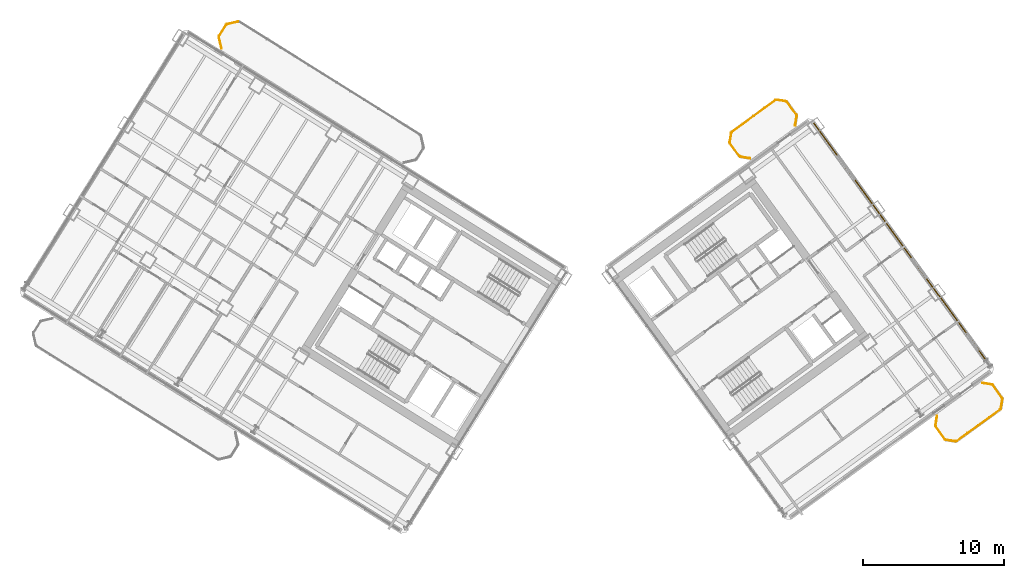
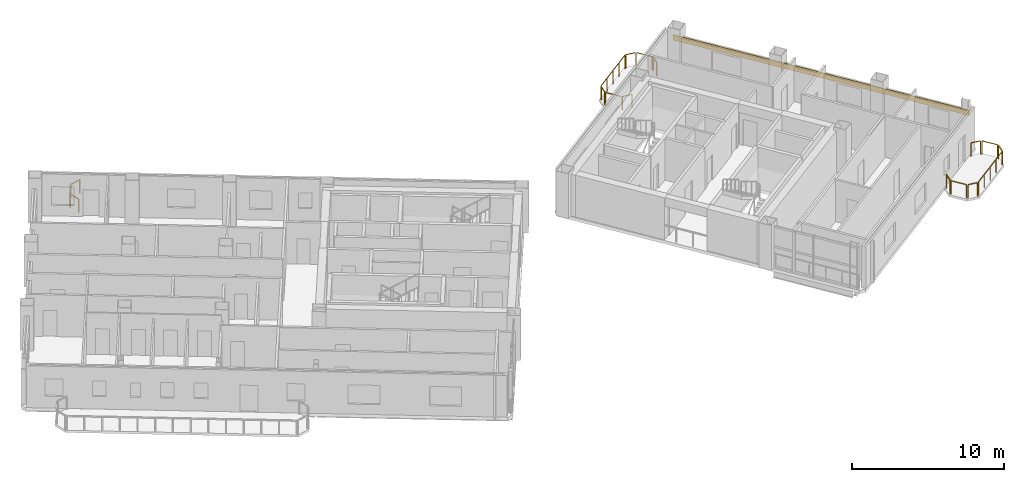
# One storey, part 19 of 19: 17 railings, 1 covering.
"""IFC4 building model written with IfcOpenShell, lengths in metres."""

import ifcopenshell
import ifcopenshell.guid

model = None  # the IFC model being written
_history = None  # IfcOwnerHistory: only IFC2X3 demands one
_inside = {}  # id of a spatial element -> (the spatial element, [elements in it])
_under = {}  # id of a project, library or spatial element -> (it, [spatial elements below it])
_declared = {}  # id of a project -> (the project, [libraries it declares])
_typed = {}  # id of a type object -> (the type object, [elements of that type])
_made_of = {}  # id of a material, layer set ... -> (it, [elements and type objects made of it])


def new_model(schema):
    """Start an empty IFC model of exactly this schema.

    Asked for "IFC4X3", IfcOpenShell would pick the latest addendum, in which some entities
    have other attributes; the version numbers below select the first issue.
    IFC2X3 requires an IfcOwnerHistory on every rooted entity: one is made here for all.
    """
    global model, _history
    if schema == "IFC4X3":
        model = ifcopenshell.file(schema_version=(4, 3, 0, 0))
    else:
        model = ifcopenshell.file(schema=schema)
    _inside.clear()
    _under.clear()
    _declared.clear()
    _typed.clear()
    _made_of.clear()
    _history = None
    if model.schema == "IFC2X3":
        org = make("IfcOrganization", Name="unknown")
        user = make(
            "IfcPersonAndOrganization",
            ThePerson=make("IfcPerson", FamilyName="unknown"),
            TheOrganization=org,
        )
        app = make(
            "IfcApplication",
            ApplicationDeveloper=org,
            Version="unknown",
            ApplicationFullName="unknown",
            ApplicationIdentifier="unknown",
        )
        _history = make(
            "IfcOwnerHistory",
            OwningUser=user,
            OwningApplication=app,
            ChangeAction="ADDED",
            CreationDate=0,
        )
    return model


def make(cls, **values):
    """One entity of the class cls with the attributes given. An attribute that is None is left unset."""
    return model.create_entity(
        cls, **{name: value for name, value in values.items() if value is not None}
    )


def rooted(cls, **values):
    """An entity with a GlobalId (a new one), such as an element, a storey or a relation."""
    return make(cls, GlobalId=ifcopenshell.guid.new(), OwnerHistory=_history, **values)


def si_unit(unit_type, name, prefix=None):
    """IfcSIUnit, for example si_unit("LENGTHUNIT", "METRE", prefix="MILLI")."""
    return make("IfcSIUnit", UnitType=unit_type, Prefix=prefix, Name=name)


def assignment(units):
    """IfcUnitAssignment: the units of a project."""
    return None if units is None else make("IfcUnitAssignment", Units=units)


def point(xyz):
    """IfcCartesianPoint."""
    return None if xyz is None else make("IfcCartesianPoint", Coordinates=xyz)


def direction(xyz):
    """IfcDirection."""
    return None if xyz is None else make("IfcDirection", DirectionRatios=xyz)


def frame(location, z_axis=None, x_axis=None):
    """IfcAxis2Placement3D, a coordinate frame: its origin and axes. An axis left out is left unset."""
    return make(
        "IfcAxis2Placement3D",
        Location=point(location),
        Axis=direction(z_axis),
        RefDirection=direction(x_axis),
    )


def frame_2d(location, x_axis=None):
    """IfcAxis2Placement2D, a coordinate frame in the plane: its origin and x axis."""
    return make(
        "IfcAxis2Placement2D", Location=point(location), RefDirection=direction(x_axis)
    )


def origin():
    """The frame at (0, 0, 0) with its axes left unset."""
    return frame((0.0, 0.0, 0.0))


def origin_2d():
    """The frame at (0, 0) in the plane with its x axis left unset."""
    return frame_2d((0.0, 0.0))


def place(relative_to, where):
    """IfcLocalPlacement: puts the frame where relative to a parent placement (None: the world)."""
    return make(
        "IfcLocalPlacement", PlacementRelTo=relative_to, RelativePlacement=where
    )


def context(
    kind, dimensions, precision=None, world=None, true_north=None, identifier=None
):
    """IfcGeometricRepresentationContext, for example the 3D "Model" context."""
    return make(
        "IfcGeometricRepresentationContext",
        ContextIdentifier=identifier,
        ContextType=kind,
        CoordinateSpaceDimension=dimensions,
        Precision=precision,
        WorldCoordinateSystem=world,
        TrueNorth=true_north,
    )


def subcontext(parent, identifier, kind, view, scale=None):
    """IfcGeometricRepresentationSubContext, for example "Body" below "Model"."""
    return make(
        "IfcGeometricRepresentationSubContext",
        ContextIdentifier=identifier,
        ContextType=kind,
        ParentContext=parent,
        TargetScale=scale,
        TargetView=view,
    )


def project(units=None, contexts=None):
    """IfcProject with its units and contexts."""
    return rooted(
        "IfcProject",
        Name="project",
        RepresentationContexts=contexts,
        UnitsInContext=assignment(units),
    )


def spatial(cls, under=None, at=None, **own):
    """A site, building, storey or space (cls), placed at a placement, below another one or the project."""
    s = rooted(cls, ObjectPlacement=at, **own)
    if under is not None:
        _under.setdefault(under.id(), (under, []))[1].append(s)
    return s


def profile(cls, at=None, kind="AREA", **sizes):
    """A parametric profile (cls). Its sizes go by their IFC names, for example OverallWidth=200.0."""
    return make(cls, ProfileType=kind, Position=at, **sizes)


def rectangle(**sizes):
    """IfcRectangleProfileDef."""
    return profile("IfcRectangleProfileDef", **sizes)


def extrude(swept, where, along, depth):
    """IfcExtrudedAreaSolid: the profile swept, set in the frame where, extruded along a direction by depth."""
    return make(
        "IfcExtrudedAreaSolid",
        SweptArea=swept,
        Position=where,
        ExtrudedDirection=direction(along),
        Depth=depth,
    )


def shape(context_of_items, identifier, shape_type, items):
    """IfcShapeRepresentation: the items that make up one representation, for example the "Body"."""
    return make(
        "IfcShapeRepresentation",
        ContextOfItems=context_of_items,
        RepresentationIdentifier=identifier,
        RepresentationType=shape_type,
        Items=items,
    )


def source(mapping_origin, context_of_items, identifier, shape_type, items):
    """IfcRepresentationMap: a shape defined once, which mapped items show again and again."""
    return make(
        "IfcRepresentationMap",
        MappingOrigin=mapping_origin,
        MappedRepresentation=shape(context_of_items, identifier, shape_type, items),
    )


def transform(
    local_origin,
    x_axis=None,
    y_axis=None,
    z_axis=None,
    scale=None,
    scale2=None,
    scale3=None,
    uniform=True,
):
    """IfcCartesianTransformationOperator3D, or its non-uniform kind. x_axis, y_axis, z_axis: its Axis1, 2, 3."""
    if uniform:
        return make(
            "IfcCartesianTransformationOperator3D",
            Axis1=direction(x_axis),
            Axis2=direction(y_axis),
            LocalOrigin=point(local_origin),
            Scale=scale,
            Axis3=direction(z_axis),
        )
    return make(
        "IfcCartesianTransformationOperator3DnonUniform",
        Axis1=direction(x_axis),
        Axis2=direction(y_axis),
        LocalOrigin=point(local_origin),
        Scale=scale,
        Axis3=direction(z_axis),
        Scale2=scale2,
        Scale3=scale3,
    )


def mapped(mapping_source, mapping_target):
    """IfcMappedItem: shows the shape of a source again, moved by a transform."""
    return make(
        "IfcMappedItem", MappingSource=mapping_source, MappingTarget=mapping_target
    )


def material(Name=None, Category=None):
    """IfcMaterial."""
    return make("IfcMaterial", Name=Name, Category=Category)


def layer(
    of_material, thickness, ventilated=None, Name=None, Category=None, Priority=None
):
    """IfcMaterialLayer: one layer of a wall or slab, of a material (None: an air gap)."""
    return make(
        "IfcMaterialLayer",
        Material=of_material,
        LayerThickness=thickness,
        IsVentilated=ventilated,
        Name=Name,
        Category=Category,
        Priority=Priority,
    )


def layer_set(layers, Name=None):
    """IfcMaterialLayerSet."""
    return make("IfcMaterialLayerSet", MaterialLayers=layers, LayerSetName=Name)


def made_of(thing, what):
    """Note that an element or type object is made of a material, layer set ...; save() writes the relation."""
    if what is not None:
        _made_of.setdefault(what.id(), (what, []))[1].append(thing)
    return thing


def type_object(cls, material=None, **own):
    """A type object (cls), such as IfcWallType, which elements share."""
    return made_of(rooted(cls, **own), material)


def element(
    cls,
    number,
    at=None,
    inside=None,
    cuts=None,
    type_object=None,
    material=None,
    context=None,
    identifier="Body",
    shape_type=None,
    held_by="IfcProductDefinitionShape",
    body=None,
    shapes=None,
    **own,
):
    """One element of the class cls, such as IfcWall. Its Tag is "e" and its number.

    at: its placement. inside: the storey or other place that contains it. cuts: it is an
    opening in that element (IfcRelVoidsElement). A single representation is given by context,
    identifier, shape_type and body (its items); several are given by shapes. held_by: the class
    of the entity that holds the representations. save() writes the other relations.
    """
    e = rooted(cls, Tag="e%d" % number, ObjectPlacement=at, **own)
    if body is not None:
        shapes = [shape(context, identifier, shape_type, body)]
    if shapes is not None:
        e.Representation = make(held_by, Representations=shapes)
    if inside is not None:
        _inside.setdefault(inside.id(), (inside, []))[1].append(e)
    if cuts is not None:
        rooted(
            "IfcRelVoidsElement", RelatingBuildingElement=cuts, RelatedOpeningElement=e
        )
    if type_object is not None:
        _typed.setdefault(type_object.id(), (type_object, []))[1].append(e)
    return made_of(e, material)


def aggregate(whole, parts):
    """IfcRelAggregates: a whole, such as a stair, and the parts it consists of."""
    return rooted("IfcRelAggregates", RelatingObject=whole, RelatedObjects=parts)


def save(model, path):
    """Write the relations noted so far, then the file.

    IfcRelAggregates (storeys below a building ...), IfcRelContainedInSpatialStructure (elements
    in a storey), IfcRelDefinesByType, IfcRelAssociatesMaterial and IfcRelDeclares: one each for
    every whole, place, type object, material and project.
    """
    for whole, parts in _under.values():
        aggregate(whole, parts)
    for where, things in _inside.values():
        rooted(
            "IfcRelContainedInSpatialStructure",
            RelatedElements=things,
            RelatingStructure=where,
        )
    for kind, things in _typed.values():
        rooted("IfcRelDefinesByType", RelatedObjects=things, RelatingType=kind)
    for what, things in _made_of.values():
        rooted("IfcRelAssociatesMaterial", RelatedObjects=things, RelatingMaterial=what)
    for by, libraries in _declared.values():
        rooted("IfcRelDeclares", RelatingContext=by, RelatedDefinitions=libraries)
    model.write(path)


model = new_model("IFC4")

# Units and contexts
model_context = context("Model", 3, precision=1e-05, world=origin(), true_north=direction((0.0, 1.0)))
body_context = subcontext(model_context, "Body", "Model", "MODEL_VIEW")
ifc_project = project(units=[si_unit("LENGTHUNIT", "METRE"), si_unit("AREAUNIT", "SQUARE_METRE"), si_unit("VOLUMEUNIT", "CUBIC_METRE"), si_unit("PLANEANGLEUNIT", "RADIAN"), si_unit("MASSUNIT", "GRAM", prefix="KILO")], contexts=[model_context])

# Site, building, storey
site_placement = place(None, origin())
site = spatial("IfcSite", under=ifc_project, at=site_placement, CompositionType="ELEMENT")
building_placement = place(site_placement, origin())
building = spatial("IfcBuilding", under=site, at=building_placement, Name="Tlacorven Tower", CompositionType="ELEMENT")
storey_placement = place(building_placement, frame((0.0, 0.0, 144.300048828125)))
storey = spatial("IfcBuildingStorey", under=building, at=storey_placement, Name="L36", CompositionType="ELEMENT", Elevation=144.300048828125)

# Railings
ifc_material_1 = material(Name="Aluminium and painted steel balustrade", Category="steel")
railing_type = type_object("IfcRailingType", Name="RL-BAL-1100", PredefinedType="BALUSTRADE", material=ifc_material_1)
shared_shape_1 = source(origin(), body_context, "Body", "SweptSolid", [
    extrude(rectangle(XDim=0.048095703125, YDim=0.048095703125, at=origin_2d()), frame((0.0, 0.0, 1.076171875), z_axis=(-0.225058334816, 0.974345290916, 0.0), x_axis=(-0.974345290916, -0.225058334816, 0.0)), (0.0, 0.0, 1.0), 0.80712890625),
    extrude(rectangle(XDim=0.0419921875, YDim=0.0419921875, at=origin_2d()), origin(), (0.0, 0.0, 1.0), 1.052001953125),
    extrude(rectangle(XDim=0.0419921875, YDim=0.0419921875, at=origin_2d()), frame((-0.181640625, 0.786376953125, 0.0)), (0.0, 0.0, 1.0), 1.052001953125),
])
railing_1_placement = place(storey_placement, frame((16.5361328125, 40.68115234375, 0.0)))
element("IfcRailing", 1, at=railing_1_placement, inside=storey, type_object=railing_type, Name="BAL-L36-W-IN Guard Railing 4", PredefinedType="BALUSTRADE", context=body_context, shape_type="MappedRepresentation", body=[
    mapped(shared_shape_1, transform((0.0, 0.0, 0.0), scale=1.0)),
])
shared_shape_2 = source(origin(), body_context, "Body", "SweptSolid", [
    extrude(rectangle(XDim=0.048095703125, YDim=0.048095703125, at=origin_2d()), frame((0.0, 0.0, 1.076171875), z_axis=(0.52987865805, 0.848073468364, 0.0), x_axis=(-0.848073468364, 0.52987865805, 0.0)), (0.0, 0.0, 1.0), 0.912353515625),
    extrude(rectangle(XDim=0.0419921875, YDim=0.0419921875, at=origin_2d()), origin(), (0.0, 0.0, 1.0), 1.052001953125),
    extrude(rectangle(XDim=0.0419921875, YDim=0.0419921875, at=origin_2d()), frame((0.4833984375, 0.773681640625, 0.0)), (0.0, 0.0, 1.0), 1.052001953125),
])
railing_2_placement = place(storey_placement, frame((16.369873046875, 41.55859375, 0.0)))
element("IfcRailing", 2, at=railing_2_placement, inside=storey, type_object=railing_type, Name="BAL-L36-W-IN Guard Railing 5", PredefinedType="BALUSTRADE", context=body_context, shape_type="MappedRepresentation", body=[
    mapped(shared_shape_2, transform((0.0, 0.0, 0.0), scale=1.0)),
])
shared_shape_3 = source(origin(), body_context, "Body", "SweptSolid", [
    extrude(rectangle(XDim=0.048095703125, YDim=0.048095703125, at=origin_2d()), frame((0.0, 0.0, 1.076171875), z_axis=(0.974411586182, 0.224771129628, 0.0), x_axis=(-0.224771129628, 0.974411586182, 0.0)), (0.0, 0.0, 1.0), 0.80712890625),
    extrude(rectangle(XDim=0.0419921875, YDim=0.0419921875, at=origin_2d()), origin(), (0.0, 0.0, 1.0), 1.052001953125),
    extrude(rectangle(XDim=0.0419921875, YDim=0.0419921875, at=origin_2d()), frame((0.786376953125, 0.181396484375, 0.0)), (0.0, 0.0, 1.0), 1.052001953125),
])
railing_3_placement = place(storey_placement, frame((16.928466796875, 42.385986328125, 0.0)))
element("IfcRailing", 3, at=railing_3_placement, inside=storey, type_object=railing_type, Name="BAL-L36-W-IN Guard Railing 6", PredefinedType="BALUSTRADE", context=body_context, shape_type="MappedRepresentation", body=[
    mapped(shared_shape_3, transform((0.0, 0.0, 0.0), scale=1.0)),
])
shared_shape_4 = source(origin(), body_context, "Body", "SweptSolid", [
    extrude(rectangle(XDim=0.048095703125, YDim=0.048095703125, at=origin_2d()), frame((0.0, 0.0, 1.076171875), z_axis=(-0.987661653326, 0.156602868908, 0.0), x_axis=(-0.156602868908, -0.987661653326, 0.0)), (0.0, 0.0, 1.0), 0.665771484375),
    extrude(rectangle(XDim=0.0419921875, YDim=0.0419921875, at=origin_2d()), origin(), (0.0, 0.0, 1.0), 1.052001953125),
    extrude(rectangle(XDim=0.0419921875, YDim=0.0419921875, at=origin_2d()), frame((-0.657470703125, 0.104248046875, 0.0)), (0.0, 0.0, 1.0), 1.052001953125),
])
railing_4_placement = place(storey_placement, frame((68.59521484375, 12.7919921875, 0.0)))
element("IfcRailing", 4, at=railing_4_placement, inside=storey, type_object=railing_type, Name="BAL-L36-E-OUT Guard Railing 1", PredefinedType="BALUSTRADE", context=body_context, shape_type="MappedRepresentation", body=[
    mapped(shared_shape_4, transform((0.0, 0.0, 0.0), scale=1.0)),
])
shared_shape_5 = source(origin(), body_context, "Body", "SweptSolid", [
    extrude(rectangle(XDim=0.048095703125, YDim=0.048095703125, at=origin_2d()), frame((0.0, 0.0, 1.076171875), z_axis=(-0.58788449985, 0.808944877501, 0.0), x_axis=(-0.808944877501, -0.58788449985, 0.0)), (0.0, 0.0, 1.0), 1.112060546875),
    extrude(rectangle(XDim=0.0419921875, YDim=0.0419921875, at=origin_2d()), origin(), (0.0, 0.0, 1.0), 1.052001953125),
    extrude(rectangle(XDim=0.0419921875, YDim=0.0419921875, at=origin_2d()), frame((-0.65380859375, 0.899658203125, 0.0)), (0.0, 0.0, 1.0), 1.052001953125),
])
railing_5_placement = place(storey_placement, frame((67.85888671875, 12.944580078125, 0.0)))
element("IfcRailing", 5, at=railing_5_placement, inside=storey, type_object=railing_type, Name="BAL-L36-E-OUT Guard Railing 2", PredefinedType="BALUSTRADE", context=body_context, shape_type="MappedRepresentation", body=[
    mapped(shared_shape_5, transform((0.0, 0.0, 0.0), scale=1.0)),
])
shared_shape_6 = source(origin(), body_context, "Body", "SweptSolid", [
    extrude(rectangle(XDim=0.048095703125, YDim=0.048095703125, at=origin_2d()), frame((0.0, 0.0, 1.076171875), z_axis=(0.156602868908, 0.987661653326, 0.0), x_axis=(-0.987661653326, 0.156602868908, 0.0)), (0.0, 0.0, 1.0), 0.665771484375),
    extrude(rectangle(XDim=0.0419921875, YDim=0.0419921875, at=origin_2d()), origin(), (0.0, 0.0, 1.0), 1.052001953125),
    extrude(rectangle(XDim=0.0419921875, YDim=0.0419921875, at=origin_2d()), frame((0.104248046875, 0.657470703125, 0.0)), (0.0, 0.0, 1.0), 1.052001953125),
])
railing_6_placement = place(storey_placement, frame((67.18359375, 13.93408203125, 0.0)))
element("IfcRailing", 6, at=railing_6_placement, inside=storey, type_object=railing_type, Name="BAL-L36-E-OUT Guard Railing 3", PredefinedType="BALUSTRADE", context=body_context, shape_type="MappedRepresentation", body=[
    mapped(shared_shape_6, transform((0.0, 0.0, 0.0), scale=1.0)),
])
shared_shape_7 = source(origin(), body_context, "Body", "SweptSolid", [
    extrude(rectangle(XDim=0.048095703125, YDim=0.048095703125, at=origin_2d()), frame((0.0, 0.0, 1.076171875), z_axis=(0.987718317463, -0.156245081039, 0.0), x_axis=(0.156245081039, 0.987718317463, 0.0)), (0.0, 0.0, 1.0), 0.66552734375),
    extrude(rectangle(XDim=0.0419921875, YDim=0.0419921875, at=origin_2d()), origin(), (0.0, 0.0, 1.0), 1.052001953125),
    extrude(rectangle(XDim=0.0419921875, YDim=0.0419921875, at=origin_2d()), frame((0.657470703125, -0.10400390625, 0.0)), (0.0, 0.0, 1.0), 1.052001953125),
])
railing_7_placement = place(storey_placement, frame((70.513916015625, 16.935546875, 0.0)))
element("IfcRailing", 7, at=railing_7_placement, inside=storey, type_object=railing_type, Name="BAL-L36-E-OUT Guard Railing 4", PredefinedType="BALUSTRADE", context=body_context, shape_type="MappedRepresentation", body=[
    mapped(shared_shape_7, transform((0.0, 0.0, 0.0), scale=1.0)),
])
shared_shape_8 = source(origin(), body_context, "Body", "SweptSolid", [
    extrude(rectangle(XDim=0.048095703125, YDim=0.048095703125, at=origin_2d()), frame((0.0, 0.0, 1.076171875), z_axis=(0.58788449985, -0.808944877501, 0.0), x_axis=(0.808944877501, 0.58788449985, 0.0)), (0.0, 0.0, 1.0), 1.112060546875),
    extrude(rectangle(XDim=0.0419921875, YDim=0.0419921875, at=origin_2d()), origin(), (0.0, 0.0, 1.0), 1.052001953125),
    extrude(rectangle(XDim=0.0419921875, YDim=0.0419921875, at=origin_2d()), frame((0.65380859375, -0.899658203125, 0.0)), (0.0, 0.0, 1.0), 1.052001953125),
])
for number, where, name in (
    (8, (71.250244140625, 16.783203125, 0.0), "BAL-L36-E-OUT Guard Railing 5"),
    (9, (56.658447265625, 36.866943359375, 0.0), "BAL-L36-E-IN Guard Railing 6"),
):
    element("IfcRailing", number, at=place(storey_placement, frame(where)), inside=storey, type_object=railing_type, Name=name, PredefinedType="BALUSTRADE", context=body_context, shape_type="MappedRepresentation", body=[
        mapped(shared_shape_8, transform((0.0, 0.0, 0.0), scale=1.0)),
    ])
shared_shape_9 = source(origin(), body_context, "Body", "SweptSolid", [
    extrude(rectangle(XDim=0.048095703125, YDim=0.048095703125, at=origin_2d()), frame((0.0, 0.0, 1.076171875), z_axis=(-0.156188498702, -0.987727266442, 0.0), x_axis=(0.987727266442, -0.156188498702, 0.0)), (0.0, 0.0, 1.0), 0.665771484375),
    extrude(rectangle(XDim=0.0419921875, YDim=0.0419921875, at=origin_2d()), origin(), (0.0, 0.0, 1.0), 1.052001953125),
    extrude(rectangle(XDim=0.0419921875, YDim=0.0419921875, at=origin_2d()), frame((-0.10400390625, -0.65771484375, 0.0)), (0.0, 0.0, 1.0), 1.052001953125),
])
railing_8_placement = place(storey_placement, frame((71.925537109375, 15.793701171875, 0.0)))
element("IfcRailing", 10, at=railing_8_placement, inside=storey, type_object=railing_type, Name="BAL-L36-E-OUT Guard Railing 6", PredefinedType="BALUSTRADE", context=body_context, shape_type="MappedRepresentation", body=[
    mapped(shared_shape_9, transform((0.0, 0.0, 0.0), scale=1.0)),
])
shared_shape_10 = source(origin(), body_context, "Body", "SweptSolid", [
    extrude(rectangle(XDim=0.048095703125, YDim=0.048095703125, at=origin_2d()), frame((0.0, 0.0, 1.076171875), z_axis=(-0.809018102573, -0.587783726986, 0.0), x_axis=(0.587783726986, -0.809018102573, 0.0)), (0.0, 0.0, 1.0), 3.817138671875),
    extrude(rectangle(XDim=0.0419921875, YDim=0.0419921875, at=origin_2d()), origin(), (0.0, 0.0, 1.0), 1.052001953125),
    extrude(rectangle(XDim=0.0419921875, YDim=0.0419921875, at=origin_2d()), frame((-0.77197265625, -0.56103515625, 0.0)), (0.0, 0.0, 1.0), 1.052001953125),
    extrude(rectangle(XDim=0.0419921875, YDim=0.0419921875, at=origin_2d()), frame((-1.5439453125, -1.121826171875, 0.0)), (0.0, 0.0, 1.0), 1.052001953125),
    extrude(rectangle(XDim=0.0419921875, YDim=0.0419921875, at=origin_2d()), frame((-2.316162109375, -1.6826171875, 0.0)), (0.0, 0.0, 1.0), 1.052001953125),
    extrude(rectangle(XDim=0.0419921875, YDim=0.0419921875, at=origin_2d()), frame((-3.088134765625, -2.24365234375, 0.0)), (0.0, 0.0, 1.0), 1.052001953125),
])
railing_9_placement = place(storey_placement, frame((71.773193359375, 15.057373046875, 0.0)))
element("IfcRailing", 11, at=railing_9_placement, inside=storey, type_object=railing_type, Name="BAL-L36-E-OUT Guard Railing 7", PredefinedType="BALUSTRADE", context=body_context, shape_type="MappedRepresentation", body=[
    mapped(shared_shape_10, transform((0.0, 0.0, 0.0), scale=1.0)),
])
shared_shape_11 = source(origin(), body_context, "Body", "SweptSolid", [
    extrude(rectangle(XDim=0.048095703125, YDim=0.048095703125, at=origin_2d()), frame((0.0, 0.0, 1.076171875), z_axis=(-0.987718317463, 0.156245081039, 0.0), x_axis=(-0.156245081039, -0.987718317463, 0.0)), (0.0, 0.0, 1.0), 0.66552734375),
    extrude(rectangle(XDim=0.0419921875, YDim=0.0419921875, at=origin_2d()), origin(), (0.0, 0.0, 1.0), 1.052001953125),
    extrude(rectangle(XDim=0.0419921875, YDim=0.0419921875, at=origin_2d()), frame((-0.657470703125, 0.10400390625, 0.0)), (0.0, 0.0, 1.0), 1.052001953125),
])
railing_10_placement = place(storey_placement, frame((54.00341796875, 32.8759765625, 0.0)))
element("IfcRailing", 12, at=railing_10_placement, inside=storey, type_object=railing_type, Name="BAL-L36-E-IN Guard Railing 1", PredefinedType="BALUSTRADE", context=body_context, shape_type="MappedRepresentation", body=[
    mapped(shared_shape_11, transform((0.0, 0.0, 0.0), scale=1.0)),
])
shared_shape_12 = source(origin(), body_context, "Body", "SweptSolid", [
    extrude(rectangle(XDim=0.048095703125, YDim=0.048095703125, at=origin_2d()), frame((0.0, 0.0, 1.076171875), z_axis=(-0.587740817519, 0.809049276263, 0.0), x_axis=(-0.809049276263, -0.587740817519, 0.0)), (0.0, 0.0, 1.0), 1.112060546875),
    extrude(rectangle(XDim=0.0419921875, YDim=0.0419921875, at=origin_2d()), origin(), (0.0, 0.0, 1.0), 1.052001953125),
    extrude(rectangle(XDim=0.0419921875, YDim=0.0419921875, at=origin_2d()), frame((-0.653564453125, 0.899658203125, 0.0)), (0.0, 0.0, 1.0), 1.052001953125),
])
railing_11_placement = place(storey_placement, frame((53.26708984375, 33.0283203125, 0.0)))
element("IfcRailing", 13, at=railing_11_placement, inside=storey, type_object=railing_type, Name="BAL-L36-E-IN Guard Railing 2", PredefinedType="BALUSTRADE", context=body_context, shape_type="MappedRepresentation", body=[
    mapped(shared_shape_12, transform((0.0, 0.0, 0.0), scale=1.0)),
])
shared_shape_13 = source(origin(), body_context, "Body", "SweptSolid", [
    extrude(rectangle(XDim=0.048095703125, YDim=0.048095703125, at=origin_2d()), frame((0.0, 0.0, 1.076171875), z_axis=(0.156546163506, 0.987670642822, 0.0), x_axis=(-0.987670642822, 0.156546163506, 0.0)), (0.0, 0.0, 1.0), 0.666015625),
    extrude(rectangle(XDim=0.0419921875, YDim=0.0419921875, at=origin_2d()), origin(), (0.0, 0.0, 1.0), 1.052001953125),
    extrude(rectangle(XDim=0.0419921875, YDim=0.0419921875, at=origin_2d()), frame((0.104248046875, 0.65771484375, 0.0)), (0.0, 0.0, 1.0), 1.052001953125),
])
railing_12_placement = place(storey_placement, frame((52.591796875, 34.017822265625, 0.0)))
element("IfcRailing", 14, at=railing_12_placement, inside=storey, type_object=railing_type, Name="BAL-L36-E-IN Guard Railing 3", PredefinedType="BALUSTRADE", context=body_context, shape_type="MappedRepresentation", body=[
    mapped(shared_shape_13, transform((0.0, 0.0, 0.0), scale=1.0)),
])
shared_shape_14 = source(origin(), body_context, "Body", "SweptSolid", [
    extrude(rectangle(XDim=0.048095703125, YDim=0.048095703125, at=origin_2d()), frame((0.0, 0.0, 1.076171875), z_axis=(0.809040198054, 0.587753313843, 0.0), x_axis=(-0.587753313843, 0.809040198054, 0.0)), (0.0, 0.0, 1.0), 3.8173828125),
    extrude(rectangle(XDim=0.0419921875, YDim=0.0419921875, at=origin_2d()), origin(), (0.0, 0.0, 1.0), 1.052001953125),
    extrude(rectangle(XDim=0.0419921875, YDim=0.0419921875, at=origin_2d()), frame((0.77197265625, 0.56103515625, 0.0)), (0.0, 0.0, 1.0), 1.052001953125),
    extrude(rectangle(XDim=0.0419921875, YDim=0.0419921875, at=origin_2d()), frame((1.544189453125, 1.121826171875, 0.0)), (0.0, 0.0, 1.0), 1.052001953125),
    extrude(rectangle(XDim=0.0419921875, YDim=0.0419921875, at=origin_2d()), frame((2.31640625, 1.6826171875, 0.0)), (0.0, 0.0, 1.0), 1.052001953125),
    extrude(rectangle(XDim=0.0419921875, YDim=0.0419921875, at=origin_2d()), frame((3.08837890625, 2.24365234375, 0.0)), (0.0, 0.0, 1.0), 1.052001953125),
])
railing_13_placement = place(storey_placement, frame((52.744140625, 34.754150390625, 0.0)))
element("IfcRailing", 15, at=railing_13_placement, inside=storey, type_object=railing_type, Name="BAL-L36-E-IN Guard Railing 4", PredefinedType="BALUSTRADE", context=body_context, shape_type="MappedRepresentation", body=[
    mapped(shared_shape_14, transform((0.0, 0.0, 0.0), scale=1.0)),
])
shared_shape_15 = source(origin(), body_context, "Body", "SweptSolid", [
    extrude(rectangle(XDim=0.048095703125, YDim=0.048095703125, at=origin_2d()), frame((0.0, 0.0, 1.076171875), z_axis=(0.987670642822, -0.156546163506, 0.0), x_axis=(0.156546163506, 0.987670642822, 0.0)), (0.0, 0.0, 1.0), 0.666015625),
    extrude(rectangle(XDim=0.0419921875, YDim=0.0419921875, at=origin_2d()), origin(), (0.0, 0.0, 1.0), 1.052001953125),
    extrude(rectangle(XDim=0.0419921875, YDim=0.0419921875, at=origin_2d()), frame((0.65771484375, -0.104248046875, 0.0)), (0.0, 0.0, 1.0), 1.052001953125),
])
railing_14_placement = place(storey_placement, frame((55.922119140625, 37.01953125, 0.0)))
element("IfcRailing", 16, at=railing_14_placement, inside=storey, type_object=railing_type, Name="BAL-L36-E-IN Guard Railing 5", PredefinedType="BALUSTRADE", context=body_context, shape_type="MappedRepresentation", body=[
    mapped(shared_shape_15, transform((0.0, 0.0, 0.0), scale=1.0)),
])
shared_shape_16 = source(origin(), body_context, "Body", "SweptSolid", [
    extrude(rectangle(XDim=0.048095703125, YDim=0.048095703125, at=origin_2d()), frame((0.0, 0.0, 1.076171875), z_axis=(-0.156245081039, -0.987718317463, 0.0), x_axis=(0.987718317463, -0.156245081039, 0.0)), (0.0, 0.0, 1.0), 0.66552734375),
    extrude(rectangle(XDim=0.0419921875, YDim=0.0419921875, at=origin_2d()), origin(), (0.0, 0.0, 1.0), 1.052001953125),
    extrude(rectangle(XDim=0.0419921875, YDim=0.0419921875, at=origin_2d()), frame((-0.10400390625, -0.657470703125, 0.0)), (0.0, 0.0, 1.0), 1.052001953125),
])
railing_15_placement = place(storey_placement, frame((57.333740234375, 35.87744140625, 0.0)))
element("IfcRailing", 17, at=railing_15_placement, inside=storey, type_object=railing_type, Name="BAL-L36-E-IN Guard Railing 7", PredefinedType="BALUSTRADE", context=body_context, shape_type="MappedRepresentation", body=[
    mapped(shared_shape_16, transform((0.0, 0.0, 0.0), scale=1.0)),
])

# Covering
ifc_material_2 = material(Name="Precast concrete C45/55", Category="concrete")
ifc_layer = layer(ifc_material_2, 0.06005859375)
ifc_layer_set = layer_set([ifc_layer], Name="Precast concrete C45/55")
covering_type = type_object("IfcCoveringType", Name="CV-CLD-TERC", PredefinedType="CLADDING", material=ifc_layer_set)
shared_shape_17 = source(origin(), body_context, "Body", "SweptSolid", [
    extrude(rectangle(XDim=21.287353515625, YDim=0.06005859375, at=origin_2d()), origin(), (0.0, 0.0, 1.0), 0.419921875),
])
covering_placement = place(storey_placement, frame((64.799072265625, 26.75146484375, 2.35498046875), z_axis=(0.0, 0.0, 1.0), x_axis=(0.587785363163, -0.809016913823, 0.0)))
element("IfcCovering", 18, at=covering_placement, inside=storey, type_object=covering_type, Name="L36 Masonry-Frame Spandrel Cladding 5", PredefinedType="CLADDING", context=body_context, shape_type="MappedRepresentation", body=[
    mapped(shared_shape_17, transform((0.0, 0.0, 0.0), scale=1.0)),
])

save(model, "model.ifc")
